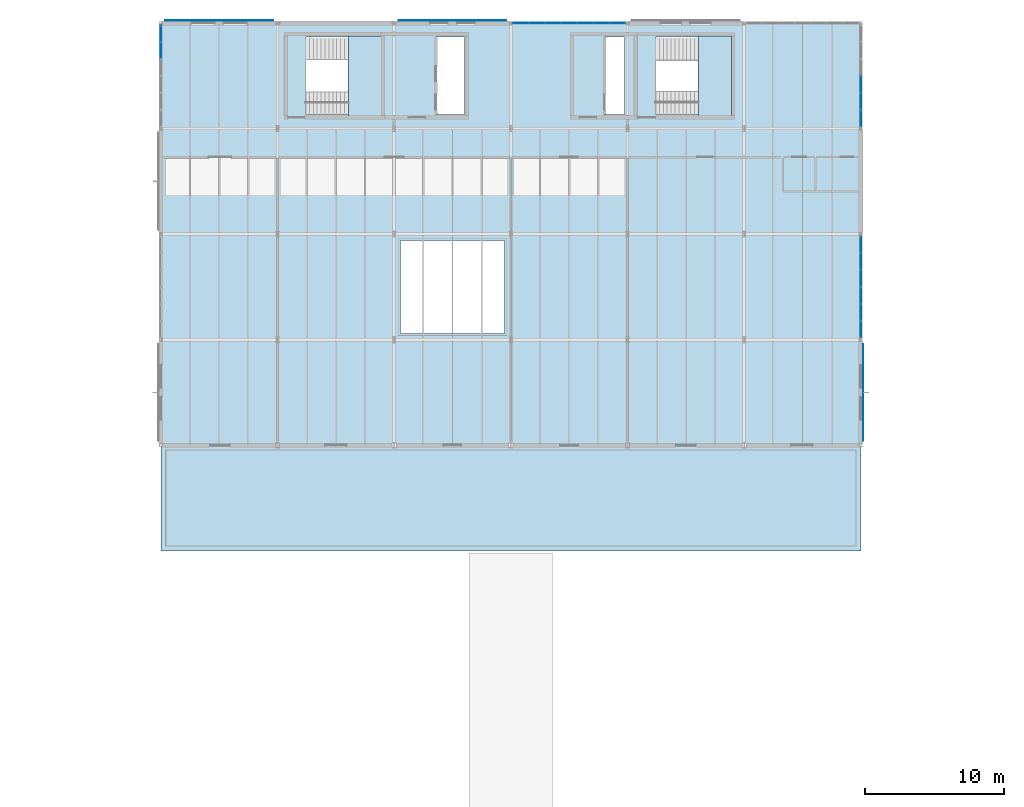
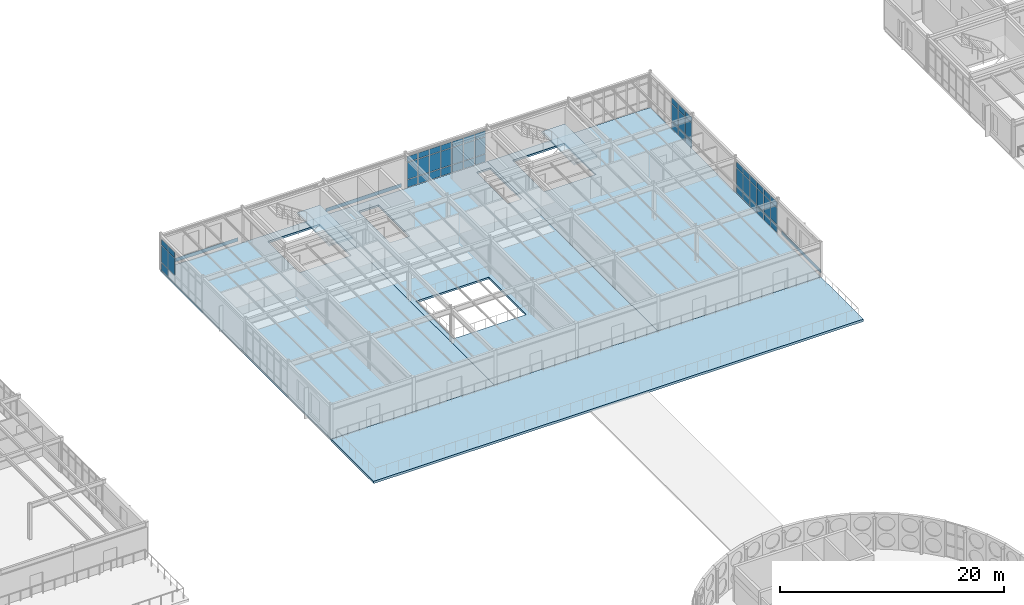
# One storey, part 73 of 114: 56 plates, 6 slabs, 6 elements without a shape of their own.
"""IFC4 building model written with IfcOpenShell, lengths in metres."""

from ifc_helpers import new_model, si_unit, direction, frame, origin, origin_2d, place, context, subcontext, project, spatial, polyline, rectangle, outline, extrude, material, layer, layer_set, type_object, element, aggregate, save


model = new_model("IFC4")

# Units and contexts
model_context = context("Model", 3, precision=1e-05, world=origin(), true_north=direction((0.0, 1.0)))
body_context = subcontext(model_context, "Body", "Model", "MODEL_VIEW")
ifc_project = project(units=[si_unit("LENGTHUNIT", "METRE"), si_unit("AREAUNIT", "SQUARE_METRE"), si_unit("VOLUMEUNIT", "CUBIC_METRE"), si_unit("PLANEANGLEUNIT", "RADIAN"), si_unit("MASSUNIT", "GRAM", prefix="KILO")], contexts=[model_context])

# Site, building, storey
site_placement = place(None, origin())
site = spatial("IfcSite", under=ifc_project, at=site_placement, CompositionType="ELEMENT")
building_placement = place(site_placement, origin())
building = spatial("IfcBuilding", under=site, at=building_placement, Name="Montecoro Central Library", CompositionType="ELEMENT")
storey_placement = place(building_placement, frame((0.0, 0.0, 13.260009765625)))
storey = spatial("IfcBuildingStorey", under=building, at=storey_placement, Name="L03", CompositionType="ELEMENT", Elevation=13.260009765625)

# Curtain wall, plates
ifc_material_1 = material(Name="Bronze-anodised aluminium and low-E glazing", Category="aluminium")
ifc_layer_1 = layer(ifc_material_1, 0.159912109375)
ifc_layer_set_1 = layer_set([ifc_layer_1], Name="Bronze-anodised aluminium and low-E glazing")
curtain_wall_type_1 = type_object("IfcCurtainWallType", Name="CWT-018", PredefinedType="NOTDEFINED", material=ifc_layer_set_1)
curtain_wall_1_placement = place(storey_placement, origin())
curtain_wall_1 = element("IfcCurtainWall", 1, at=curtain_wall_1_placement, inside=storey, type_object=curtain_wall_type_1, Name="V2-L03-CW-E1", PredefinedType="NOTDEFINED")
ifc_material_2 = material(Name="Laminated low-E double glazing", Category="glass")
ifc_layer_2 = layer(ifc_material_2, 0.02587890625)
ifc_layer_set_2 = layer_set([ifc_layer_2], Name="Laminated low-E double glazing")
plate_type_1 = type_object("IfcPlateType", Name="CWP-GLZ-01", PredefinedType="CURTAIN_PANEL", material=ifc_layer_set_2)
plate_1_placement = place(storey_placement, frame((116.800048828125, 96.9423828125, 0.06005859375), z_axis=(0.0, 0.0, 1.0), x_axis=(0.0, 1.0, 0.0)))
plate_1 = element("IfcPlate", 2, at=plate_1_placement, type_object=plate_type_1, Name="CW-018 panel 1.1", PredefinedType="CURTAIN_PANEL", context=body_context, shape_type="SweptSolid", body=[
    extrude(rectangle(XDim=1.138916015625, YDim=0.02587890625, at=origin_2d()), origin(), (0.0, 0.0, 1.0), 0.81005859375),
])
plate_2_placement = place(storey_placement, frame((116.800048828125, 96.9423828125, 0.93017578125), z_axis=(0.0, 0.0, 1.0), x_axis=(0.0, 1.0, 0.0)))
plate_2 = element("IfcPlate", 3, at=plate_2_placement, type_object=plate_type_1, Name="CW-018 panel 1.2", PredefinedType="CURTAIN_PANEL", context=body_context, shape_type="SweptSolid", body=[
    extrude(rectangle(XDim=1.138916015625, YDim=0.02587890625, at=origin_2d()), origin(), (0.0, 0.0, 1.0), 1.820068359375),
])
plate_3_placement = place(storey_placement, frame((116.800048828125, 96.9423828125, 2.81005859375), z_axis=(0.0, 0.0, 1.0), x_axis=(0.0, 1.0, 0.0)))
plate_3 = element("IfcPlate", 4, at=plate_3_placement, type_object=plate_type_1, Name="CW-018 panel 1.3", PredefinedType="CURTAIN_PANEL", context=body_context, shape_type="SweptSolid", body=[
    extrude(rectangle(XDim=1.138916015625, YDim=0.02587890625, at=origin_2d()), origin(), (0.0, 0.0, 1.0), 0.610107421875),
])
plate_4_placement = place(storey_placement, frame((116.800048828125, 98.156494140625, 0.06005859375), z_axis=(0.0, 0.0, 1.0), x_axis=(0.0, 1.0, 0.0)))
plate_4 = element("IfcPlate", 5, at=plate_4_placement, type_object=plate_type_1, Name="CW-018 panel 2.1", PredefinedType="CURTAIN_PANEL", context=body_context, shape_type="SweptSolid", body=[
    extrude(rectangle(XDim=1.1689453125, YDim=0.02587890625, at=origin_2d()), origin(), (0.0, 0.0, 1.0), 0.81005859375),
])
plate_5_placement = place(storey_placement, frame((116.800048828125, 98.156494140625, 0.93017578125), z_axis=(0.0, 0.0, 1.0), x_axis=(0.0, 1.0, 0.0)))
plate_5 = element("IfcPlate", 6, at=plate_5_placement, type_object=plate_type_1, Name="CW-018 panel 2.2", PredefinedType="CURTAIN_PANEL", context=body_context, shape_type="SweptSolid", body=[
    extrude(rectangle(XDim=1.1689453125, YDim=0.02587890625, at=origin_2d()), origin(), (0.0, 0.0, 1.0), 1.820068359375),
])
plate_6_placement = place(storey_placement, frame((116.800048828125, 98.156494140625, 2.81005859375), z_axis=(0.0, 0.0, 1.0), x_axis=(0.0, 1.0, 0.0)))
plate_6 = element("IfcPlate", 7, at=plate_6_placement, type_object=plate_type_1, Name="CW-018 panel 2.3", PredefinedType="CURTAIN_PANEL", context=body_context, shape_type="SweptSolid", body=[
    extrude(rectangle(XDim=1.1689453125, YDim=0.02587890625, at=origin_2d()), origin(), (0.0, 0.0, 1.0), 0.610107421875),
])
plate_7_placement = place(storey_placement, frame((116.800048828125, 99.385498046875, 0.06005859375), z_axis=(0.0, 0.0, 1.0), x_axis=(0.0, 1.0, 0.0)))
plate_7 = element("IfcPlate", 8, at=plate_7_placement, type_object=plate_type_1, Name="CW-018 panel 3.1", PredefinedType="CURTAIN_PANEL", context=body_context, shape_type="SweptSolid", body=[
    extrude(rectangle(XDim=1.1689453125, YDim=0.02587890625, at=origin_2d()), origin(), (0.0, 0.0, 1.0), 0.81005859375),
])
plate_8_placement = place(storey_placement, frame((116.800048828125, 99.385498046875, 0.93017578125), z_axis=(0.0, 0.0, 1.0), x_axis=(0.0, 1.0, 0.0)))
plate_8 = element("IfcPlate", 9, at=plate_8_placement, type_object=plate_type_1, Name="CW-018 panel 3.2", PredefinedType="CURTAIN_PANEL", context=body_context, shape_type="SweptSolid", body=[
    extrude(rectangle(XDim=1.1689453125, YDim=0.02587890625, at=origin_2d()), origin(), (0.0, 0.0, 1.0), 1.820068359375),
])
plate_9_placement = place(storey_placement, frame((116.800048828125, 99.385498046875, 2.81005859375), z_axis=(0.0, 0.0, 1.0), x_axis=(0.0, 1.0, 0.0)))
plate_9 = element("IfcPlate", 10, at=plate_9_placement, type_object=plate_type_1, Name="CW-018 panel 3.3", PredefinedType="CURTAIN_PANEL", context=body_context, shape_type="SweptSolid", body=[
    extrude(rectangle(XDim=1.1689453125, YDim=0.02587890625, at=origin_2d()), origin(), (0.0, 0.0, 1.0), 0.610107421875),
])
plate_10_placement = place(storey_placement, frame((116.800048828125, 100.614501953125, 0.06005859375), z_axis=(0.0, 0.0, 1.0), x_axis=(0.0, 1.0, 0.0)))
plate_10 = element("IfcPlate", 11, at=plate_10_placement, type_object=plate_type_1, Name="CW-018 panel 4.1", PredefinedType="CURTAIN_PANEL", context=body_context, shape_type="SweptSolid", body=[
    extrude(rectangle(XDim=1.1689453125, YDim=0.02587890625, at=origin_2d()), origin(), (0.0, 0.0, 1.0), 0.81005859375),
])
plate_11_placement = place(storey_placement, frame((116.800048828125, 100.614501953125, 0.93017578125), z_axis=(0.0, 0.0, 1.0), x_axis=(0.0, 1.0, 0.0)))
plate_11 = element("IfcPlate", 12, at=plate_11_placement, type_object=plate_type_1, Name="CW-018 panel 4.2", PredefinedType="CURTAIN_PANEL", context=body_context, shape_type="SweptSolid", body=[
    extrude(rectangle(XDim=1.1689453125, YDim=0.02587890625, at=origin_2d()), origin(), (0.0, 0.0, 1.0), 1.820068359375),
])
plate_12_placement = place(storey_placement, frame((116.800048828125, 100.614501953125, 2.81005859375), z_axis=(0.0, 0.0, 1.0), x_axis=(0.0, 1.0, 0.0)))
plate_12 = element("IfcPlate", 13, at=plate_12_placement, type_object=plate_type_1, Name="CW-018 panel 4.3", PredefinedType="CURTAIN_PANEL", context=body_context, shape_type="SweptSolid", body=[
    extrude(rectangle(XDim=1.1689453125, YDim=0.02587890625, at=origin_2d()), origin(), (0.0, 0.0, 1.0), 0.610107421875),
])
plate_13_placement = place(storey_placement, frame((116.800048828125, 101.843505859375, 0.06005859375), z_axis=(0.0, 0.0, 1.0), x_axis=(0.0, 1.0, 0.0)))
plate_13 = element("IfcPlate", 14, at=plate_13_placement, type_object=plate_type_1, Name="CW-018 panel 5.1", PredefinedType="CURTAIN_PANEL", context=body_context, shape_type="SweptSolid", body=[
    extrude(rectangle(XDim=1.1689453125, YDim=0.02587890625, at=origin_2d()), origin(), (0.0, 0.0, 1.0), 0.81005859375),
])
plate_14_placement = place(storey_placement, frame((116.800048828125, 101.843505859375, 0.93017578125), z_axis=(0.0, 0.0, 1.0), x_axis=(0.0, 1.0, 0.0)))
plate_14 = element("IfcPlate", 15, at=plate_14_placement, type_object=plate_type_1, Name="CW-018 panel 5.2", PredefinedType="CURTAIN_PANEL", context=body_context, shape_type="SweptSolid", body=[
    extrude(rectangle(XDim=1.1689453125, YDim=0.02587890625, at=origin_2d()), origin(), (0.0, 0.0, 1.0), 1.820068359375),
])
plate_15_placement = place(storey_placement, frame((116.800048828125, 101.843505859375, 2.81005859375), z_axis=(0.0, 0.0, 1.0), x_axis=(0.0, 1.0, 0.0)))
plate_15 = element("IfcPlate", 16, at=plate_15_placement, type_object=plate_type_1, Name="CW-018 panel 5.3", PredefinedType="CURTAIN_PANEL", context=body_context, shape_type="SweptSolid", body=[
    extrude(rectangle(XDim=1.1689453125, YDim=0.02587890625, at=origin_2d()), origin(), (0.0, 0.0, 1.0), 0.610107421875),
])
plate_16_placement = place(storey_placement, frame((116.800048828125, 103.0576171875, 0.06005859375), z_axis=(0.0, 0.0, 1.0), x_axis=(0.0, 1.0, 0.0)))
plate_16 = element("IfcPlate", 17, at=plate_16_placement, type_object=plate_type_1, Name="CW-018 panel 6.1", PredefinedType="CURTAIN_PANEL", context=body_context, shape_type="SweptSolid", body=[
    extrude(rectangle(XDim=1.138916015625, YDim=0.02587890625, at=origin_2d()), origin(), (0.0, 0.0, 1.0), 0.81005859375),
])
plate_17_placement = place(storey_placement, frame((116.800048828125, 103.0576171875, 0.93017578125), z_axis=(0.0, 0.0, 1.0), x_axis=(0.0, 1.0, 0.0)))
plate_17 = element("IfcPlate", 18, at=plate_17_placement, type_object=plate_type_1, Name="CW-018 panel 6.2", PredefinedType="CURTAIN_PANEL", context=body_context, shape_type="SweptSolid", body=[
    extrude(rectangle(XDim=1.138916015625, YDim=0.02587890625, at=origin_2d()), origin(), (0.0, 0.0, 1.0), 1.820068359375),
])
plate_18_placement = place(storey_placement, frame((116.800048828125, 103.0576171875, 2.81005859375), z_axis=(0.0, 0.0, 1.0), x_axis=(0.0, 1.0, 0.0)))
plate_18 = element("IfcPlate", 19, at=plate_18_placement, type_object=plate_type_1, Name="CW-018 panel 6.3", PredefinedType="CURTAIN_PANEL", context=body_context, shape_type="SweptSolid", body=[
    extrude(rectangle(XDim=1.138916015625, YDim=0.02587890625, at=origin_2d()), origin(), (0.0, 0.0, 1.0), 0.610107421875),
])
aggregate(curtain_wall_1, [plate_1, plate_2, plate_3, plate_4, plate_5, plate_6, plate_7, plate_8, plate_9, plate_10, plate_11, plate_12, plate_13, plate_14, plate_15, plate_16, plate_17, plate_18])

curtain_wall_2_placement = place(storey_placement, origin())
curtain_wall_2 = element("IfcCurtainWall", 20, at=curtain_wall_2_placement, inside=storey, type_object=curtain_wall_type_1, Name="V2-L03-CW-E3", PredefinedType="NOTDEFINED")
ifc_layer_3 = layer(ifc_material_2, 0.033935546875)
ifc_layer_set_3 = layer_set([ifc_layer_3], Name="Laminated low-E double glazing")
plate_type_2 = type_object("IfcPlateType", Name="CWP-GLZ-03", PredefinedType="CURTAIN_PANEL", material=ifc_layer_set_3)
plate_19_placement = place(storey_placement, frame((116.800048828125, 112.142578125, 0.06005859375), z_axis=(0.0, 0.0, 1.0), x_axis=(0.0, 1.0, 0.0)))
plate_19 = element("IfcPlate", 21, at=plate_19_placement, type_object=plate_type_2, Name="CW-018 panel 1.1", PredefinedType="CURTAIN_PANEL", context=body_context, shape_type="SweptSolid", body=[
    extrude(rectangle(XDim=1.138916015625, YDim=0.033935546875, at=origin_2d()), origin(), (0.0, 0.0, 1.0), 0.81005859375),
])
plate_20_placement = place(storey_placement, frame((116.800048828125, 112.142578125, 0.93017578125), z_axis=(0.0, 0.0, 1.0), x_axis=(0.0, 1.0, 0.0)))
plate_20 = element("IfcPlate", 22, at=plate_20_placement, type_object=plate_type_2, Name="CW-018 panel 1.2", PredefinedType="CURTAIN_PANEL", context=body_context, shape_type="SweptSolid", body=[
    extrude(rectangle(XDim=1.138916015625, YDim=0.033935546875, at=origin_2d()), origin(), (0.0, 0.0, 1.0), 1.820068359375),
])
plate_21_placement = place(storey_placement, frame((116.800048828125, 112.142578125, 2.81005859375), z_axis=(0.0, 0.0, 1.0), x_axis=(0.0, 1.0, 0.0)))
plate_21 = element("IfcPlate", 23, at=plate_21_placement, type_object=plate_type_2, Name="CW-018 panel 1.3", PredefinedType="CURTAIN_PANEL", context=body_context, shape_type="SweptSolid", body=[
    extrude(rectangle(XDim=1.138916015625, YDim=0.033935546875, at=origin_2d()), origin(), (0.0, 0.0, 1.0), 0.610107421875),
])
plate_22_placement = place(storey_placement, frame((116.800048828125, 113.3564453125, 0.06005859375), z_axis=(0.0, 0.0, 1.0), x_axis=(0.0, 1.0, 0.0)))
plate_22 = element("IfcPlate", 24, at=plate_22_placement, type_object=plate_type_2, Name="CW-018 panel 2.1", PredefinedType="CURTAIN_PANEL", context=body_context, shape_type="SweptSolid", body=[
    extrude(rectangle(XDim=1.1689453125, YDim=0.033935546875, at=origin_2d()), origin(), (0.0, 0.0, 1.0), 0.81005859375),
])
plate_23_placement = place(storey_placement, frame((116.800048828125, 113.3564453125, 0.93017578125), z_axis=(0.0, 0.0, 1.0), x_axis=(0.0, 1.0, 0.0)))
plate_23 = element("IfcPlate", 25, at=plate_23_placement, type_object=plate_type_2, Name="CW-018 panel 2.2", PredefinedType="CURTAIN_PANEL", context=body_context, shape_type="SweptSolid", body=[
    extrude(rectangle(XDim=1.1689453125, YDim=0.033935546875, at=origin_2d()), origin(), (0.0, 0.0, 1.0), 1.820068359375),
])
plate_24_placement = place(storey_placement, frame((116.800048828125, 113.3564453125, 2.81005859375), z_axis=(0.0, 0.0, 1.0), x_axis=(0.0, 1.0, 0.0)))
plate_24 = element("IfcPlate", 26, at=plate_24_placement, type_object=plate_type_2, Name="CW-018 panel 2.3", PredefinedType="CURTAIN_PANEL", context=body_context, shape_type="SweptSolid", body=[
    extrude(rectangle(XDim=1.1689453125, YDim=0.033935546875, at=origin_2d()), origin(), (0.0, 0.0, 1.0), 0.610107421875),
])
plate_25_placement = place(storey_placement, frame((116.800048828125, 114.58544921875, 0.06005859375), z_axis=(0.0, 0.0, 1.0), x_axis=(0.0, 1.0, 0.0)))
plate_25 = element("IfcPlate", 27, at=plate_25_placement, type_object=plate_type_2, Name="CW-018 panel 3.1", PredefinedType="CURTAIN_PANEL", context=body_context, shape_type="SweptSolid", body=[
    extrude(rectangle(XDim=1.1689453125, YDim=0.033935546875, at=origin_2d()), origin(), (0.0, 0.0, 1.0), 0.81005859375),
])
plate_26_placement = place(storey_placement, frame((116.800048828125, 114.58544921875, 0.93017578125), z_axis=(0.0, 0.0, 1.0), x_axis=(0.0, 1.0, 0.0)))
plate_26 = element("IfcPlate", 28, at=plate_26_placement, type_object=plate_type_2, Name="CW-018 panel 3.2", PredefinedType="CURTAIN_PANEL", context=body_context, shape_type="SweptSolid", body=[
    extrude(rectangle(XDim=1.1689453125, YDim=0.033935546875, at=origin_2d()), origin(), (0.0, 0.0, 1.0), 1.820068359375),
])
plate_27_placement = place(storey_placement, frame((116.800048828125, 114.58544921875, 2.81005859375), z_axis=(0.0, 0.0, 1.0), x_axis=(0.0, 1.0, 0.0)))
plate_27 = element("IfcPlate", 29, at=plate_27_placement, type_object=plate_type_2, Name="CW-018 panel 3.3", PredefinedType="CURTAIN_PANEL", context=body_context, shape_type="SweptSolid", body=[
    extrude(rectangle(XDim=1.1689453125, YDim=0.033935546875, at=origin_2d()), origin(), (0.0, 0.0, 1.0), 0.610107421875),
])
aggregate(curtain_wall_2, [plate_19, plate_20, plate_21, plate_22, plate_23, plate_24, plate_25, plate_26, plate_27])

ifc_layer_4 = layer(ifc_material_1, 0.159912109375)
ifc_layer_set_4 = layer_set([ifc_layer_4], Name="Bronze-anodised aluminium and low-E glazing")
curtain_wall_type_2 = type_object("IfcCurtainWallType", Name="CWT-019", PredefinedType="NOTDEFINED", material=ifc_layer_set_4)
curtain_wall_3_placement = place(storey_placement, origin())
curtain_wall_3 = element("IfcCurtainWall", 30, at=curtain_wall_3_placement, inside=storey, type_object=curtain_wall_type_2, Name="V2-L03-CW-N3", PredefinedType="NOTDEFINED")
plate_28_placement = place(storey_placement, frame((99.2880859375, 119.0, 0.06005859375), z_axis=(0.0, 0.0, 1.0), x_axis=(-1.0, 0.0, 0.0)))
plate_28 = element("IfcPlate", 31, at=plate_28_placement, type_object=plate_type_2, Name="CW-019 panel 1.1", PredefinedType="CURTAIN_PANEL", context=body_context, shape_type="SweptSolid", body=[
    extrude(rectangle(XDim=1.07763671875, YDim=0.033935546875, at=origin_2d()), origin(), (0.0, 0.0, 1.0), 0.81005859375),
])
plate_29_placement = place(storey_placement, frame((99.2880859375, 119.0, 0.93017578125), z_axis=(0.0, 0.0, 1.0), x_axis=(-1.0, 0.0, 0.0)))
plate_29 = element("IfcPlate", 32, at=plate_29_placement, type_object=plate_type_2, Name="CW-019 panel 1.2", PredefinedType="CURTAIN_PANEL", context=body_context, shape_type="SweptSolid", body=[
    extrude(rectangle(XDim=1.07763671875, YDim=0.033935546875, at=origin_2d()), origin(), (0.0, 0.0, 1.0), 1.820068359375),
])
plate_30_placement = place(storey_placement, frame((99.2880859375, 119.0, 2.81005859375), z_axis=(0.0, 0.0, 1.0), x_axis=(-1.0, 0.0, 0.0)))
plate_30 = element("IfcPlate", 33, at=plate_30_placement, type_object=plate_type_2, Name="CW-019 panel 1.3", PredefinedType="CURTAIN_PANEL", context=body_context, shape_type="SweptSolid", body=[
    extrude(rectangle(XDim=1.07763671875, YDim=0.033935546875, at=origin_2d()), origin(), (0.0, 0.0, 1.0), 0.610107421875),
])
plate_31_placement = place(storey_placement, frame((98.135498046875, 119.0, 0.06005859375), z_axis=(0.0, 0.0, 1.0), x_axis=(-1.0, 0.0, 0.0)))
plate_31 = element("IfcPlate", 34, at=plate_31_placement, type_object=plate_type_2, Name="CW-019 panel 2.1", PredefinedType="CURTAIN_PANEL", context=body_context, shape_type="SweptSolid", body=[
    extrude(rectangle(XDim=1.107666015625, YDim=0.033935546875, at=origin_2d()), origin(), (0.0, 0.0, 1.0), 0.81005859375),
])
plate_32_placement = place(storey_placement, frame((98.135498046875, 119.0, 0.93017578125), z_axis=(0.0, 0.0, 1.0), x_axis=(-1.0, 0.0, 0.0)))
plate_32 = element("IfcPlate", 35, at=plate_32_placement, type_object=plate_type_2, Name="CW-019 panel 2.2", PredefinedType="CURTAIN_PANEL", context=body_context, shape_type="SweptSolid", body=[
    extrude(rectangle(XDim=1.107666015625, YDim=0.033935546875, at=origin_2d()), origin(), (0.0, 0.0, 1.0), 1.820068359375),
])
plate_33_placement = place(storey_placement, frame((98.135498046875, 119.0, 2.81005859375), z_axis=(0.0, 0.0, 1.0), x_axis=(-1.0, 0.0, 0.0)))
plate_33 = element("IfcPlate", 36, at=plate_33_placement, type_object=plate_type_2, Name="CW-019 panel 2.3", PredefinedType="CURTAIN_PANEL", context=body_context, shape_type="SweptSolid", body=[
    extrude(rectangle(XDim=1.107666015625, YDim=0.033935546875, at=origin_2d()), origin(), (0.0, 0.0, 1.0), 0.610107421875),
])
plate_34_placement = place(storey_placement, frame((96.9677734375, 119.0, 0.06005859375), z_axis=(0.0, 0.0, 1.0), x_axis=(-1.0, 0.0, 0.0)))
plate_34 = element("IfcPlate", 37, at=plate_34_placement, type_object=plate_type_2, Name="CW-019 panel 3.1", PredefinedType="CURTAIN_PANEL", context=body_context, shape_type="SweptSolid", body=[
    extrude(rectangle(XDim=1.107666015625, YDim=0.033935546875, at=origin_2d()), origin(), (0.0, 0.0, 1.0), 0.81005859375),
])
plate_35_placement = place(storey_placement, frame((96.9677734375, 119.0, 0.93017578125), z_axis=(0.0, 0.0, 1.0), x_axis=(-1.0, 0.0, 0.0)))
plate_35 = element("IfcPlate", 38, at=plate_35_placement, type_object=plate_type_2, Name="CW-019 panel 3.2", PredefinedType="CURTAIN_PANEL", context=body_context, shape_type="SweptSolid", body=[
    extrude(rectangle(XDim=1.107666015625, YDim=0.033935546875, at=origin_2d()), origin(), (0.0, 0.0, 1.0), 1.820068359375),
])
plate_36_placement = place(storey_placement, frame((96.9677734375, 119.0, 2.81005859375), z_axis=(0.0, 0.0, 1.0), x_axis=(-1.0, 0.0, 0.0)))
plate_36 = element("IfcPlate", 39, at=plate_36_placement, type_object=plate_type_2, Name="CW-019 panel 3.3", PredefinedType="CURTAIN_PANEL", context=body_context, shape_type="SweptSolid", body=[
    extrude(rectangle(XDim=1.107666015625, YDim=0.033935546875, at=origin_2d()), origin(), (0.0, 0.0, 1.0), 0.610107421875),
])
plate_37_placement = place(storey_placement, frame((95.800048828125, 119.0, 0.06005859375), z_axis=(0.0, 0.0, 1.0), x_axis=(-1.0, 0.0, 0.0)))
plate_37 = element("IfcPlate", 40, at=plate_37_placement, type_object=plate_type_2, Name="CW-019 panel 4.1", PredefinedType="CURTAIN_PANEL", context=body_context, shape_type="SweptSolid", body=[
    extrude(rectangle(XDim=1.107666015625, YDim=0.033935546875, at=origin_2d()), origin(), (0.0, 0.0, 1.0), 0.81005859375),
])
plate_38_placement = place(storey_placement, frame((95.800048828125, 119.0, 0.93017578125), z_axis=(0.0, 0.0, 1.0), x_axis=(-1.0, 0.0, 0.0)))
plate_38 = element("IfcPlate", 41, at=plate_38_placement, type_object=plate_type_2, Name="CW-019 panel 4.2", PredefinedType="CURTAIN_PANEL", context=body_context, shape_type="SweptSolid", body=[
    extrude(rectangle(XDim=1.107666015625, YDim=0.033935546875, at=origin_2d()), origin(), (0.0, 0.0, 1.0), 1.820068359375),
])
plate_39_placement = place(storey_placement, frame((95.800048828125, 119.0, 2.81005859375), z_axis=(0.0, 0.0, 1.0), x_axis=(-1.0, 0.0, 0.0)))
plate_39 = element("IfcPlate", 42, at=plate_39_placement, type_object=plate_type_2, Name="CW-019 panel 4.3", PredefinedType="CURTAIN_PANEL", context=body_context, shape_type="SweptSolid", body=[
    extrude(rectangle(XDim=1.107666015625, YDim=0.033935546875, at=origin_2d()), origin(), (0.0, 0.0, 1.0), 0.610107421875),
])
plate_40_placement = place(storey_placement, frame((94.63232421875, 119.0, 0.06005859375), z_axis=(0.0, 0.0, 1.0), x_axis=(-1.0, 0.0, 0.0)))
plate_40 = element("IfcPlate", 43, at=plate_40_placement, type_object=plate_type_2, Name="CW-019 panel 5.1", PredefinedType="CURTAIN_PANEL", context=body_context, shape_type="SweptSolid", body=[
    extrude(rectangle(XDim=1.107666015625, YDim=0.033935546875, at=origin_2d()), origin(), (0.0, 0.0, 1.0), 0.81005859375),
])
plate_41_placement = place(storey_placement, frame((94.63232421875, 119.0, 0.93017578125), z_axis=(0.0, 0.0, 1.0), x_axis=(-1.0, 0.0, 0.0)))
plate_41 = element("IfcPlate", 44, at=plate_41_placement, type_object=plate_type_2, Name="CW-019 panel 5.2", PredefinedType="CURTAIN_PANEL", context=body_context, shape_type="SweptSolid", body=[
    extrude(rectangle(XDim=1.107666015625, YDim=0.033935546875, at=origin_2d()), origin(), (0.0, 0.0, 1.0), 1.820068359375),
])
plate_42_placement = place(storey_placement, frame((94.63232421875, 119.0, 2.81005859375), z_axis=(0.0, 0.0, 1.0), x_axis=(-1.0, 0.0, 0.0)))
plate_42 = element("IfcPlate", 45, at=plate_42_placement, type_object=plate_type_2, Name="CW-019 panel 5.3", PredefinedType="CURTAIN_PANEL", context=body_context, shape_type="SweptSolid", body=[
    extrude(rectangle(XDim=1.107666015625, YDim=0.033935546875, at=origin_2d()), origin(), (0.0, 0.0, 1.0), 0.610107421875),
])
plate_43_placement = place(storey_placement, frame((93.464599609375, 119.0, 0.06005859375), z_axis=(0.0, 0.0, 1.0), x_axis=(-1.0, 0.0, 0.0)))
plate_43 = element("IfcPlate", 46, at=plate_43_placement, type_object=plate_type_2, Name="CW-019 panel 6.1", PredefinedType="CURTAIN_PANEL", context=body_context, shape_type="SweptSolid", body=[
    extrude(rectangle(XDim=1.107666015625, YDim=0.033935546875, at=origin_2d()), origin(), (0.0, 0.0, 1.0), 0.81005859375),
])
plate_44_placement = place(storey_placement, frame((93.464599609375, 119.0, 0.93017578125), z_axis=(0.0, 0.0, 1.0), x_axis=(-1.0, 0.0, 0.0)))
plate_44 = element("IfcPlate", 47, at=plate_44_placement, type_object=plate_type_2, Name="CW-019 panel 6.2", PredefinedType="CURTAIN_PANEL", context=body_context, shape_type="SweptSolid", body=[
    extrude(rectangle(XDim=1.107666015625, YDim=0.033935546875, at=origin_2d()), origin(), (0.0, 0.0, 1.0), 1.820068359375),
])
plate_45_placement = place(storey_placement, frame((93.464599609375, 119.0, 2.81005859375), z_axis=(0.0, 0.0, 1.0), x_axis=(-1.0, 0.0, 0.0)))
plate_45 = element("IfcPlate", 48, at=plate_45_placement, type_object=plate_type_2, Name="CW-019 panel 6.3", PredefinedType="CURTAIN_PANEL", context=body_context, shape_type="SweptSolid", body=[
    extrude(rectangle(XDim=1.107666015625, YDim=0.033935546875, at=origin_2d()), origin(), (0.0, 0.0, 1.0), 0.610107421875),
])
plate_46_placement = place(storey_placement, frame((92.311767578125, 119.0, 0.06005859375), z_axis=(0.0, 0.0, 1.0), x_axis=(-1.0, 0.0, 0.0)))
plate_46 = element("IfcPlate", 49, at=plate_46_placement, type_object=plate_type_2, Name="CW-019 panel 7.1", PredefinedType="CURTAIN_PANEL", context=body_context, shape_type="SweptSolid", body=[
    extrude(rectangle(XDim=1.07763671875, YDim=0.033935546875, at=origin_2d()), origin(), (0.0, 0.0, 1.0), 0.81005859375),
])
plate_47_placement = place(storey_placement, frame((92.311767578125, 119.0, 0.93017578125), z_axis=(0.0, 0.0, 1.0), x_axis=(-1.0, 0.0, 0.0)))
plate_47 = element("IfcPlate", 50, at=plate_47_placement, type_object=plate_type_2, Name="CW-019 panel 7.2", PredefinedType="CURTAIN_PANEL", context=body_context, shape_type="SweptSolid", body=[
    extrude(rectangle(XDim=1.07763671875, YDim=0.033935546875, at=origin_2d()), origin(), (0.0, 0.0, 1.0), 1.820068359375),
])
plate_48_placement = place(storey_placement, frame((92.311767578125, 119.0, 2.81005859375), z_axis=(0.0, 0.0, 1.0), x_axis=(-1.0, 0.0, 0.0)))
plate_48 = element("IfcPlate", 51, at=plate_48_placement, type_object=plate_type_2, Name="CW-019 panel 7.3", PredefinedType="CURTAIN_PANEL", context=body_context, shape_type="SweptSolid", body=[
    extrude(rectangle(XDim=1.07763671875, YDim=0.033935546875, at=origin_2d()), origin(), (0.0, 0.0, 1.0), 0.610107421875),
])
aggregate(curtain_wall_3, [plate_28, plate_29, plate_30, plate_31, plate_32, plate_33, plate_34, plate_35, plate_36, plate_37, plate_38, plate_39, plate_40, plate_41, plate_42, plate_43, plate_44, plate_45, plate_46, plate_47, plate_48])

ifc_layer_5 = layer(ifc_material_1, 0.159912109375)
ifc_layer_set_5 = layer_set([ifc_layer_5], Name="Bronze-anodised aluminium and low-E glazing")
curtain_wall_type_3 = type_object("IfcCurtainWallType", Name="CWT-020", PredefinedType="NOTDEFINED", material=ifc_layer_set_5)
curtain_wall_4_placement = place(storey_placement, origin())
curtain_wall_4 = element("IfcCurtainWall", 52, at=curtain_wall_4_placement, inside=storey, type_object=curtain_wall_type_3, Name="V2-L03-CW-W3", PredefinedType="NOTDEFINED")
plate_49_placement = place(storey_placement, frame((66.39990234375, 118.257568359375, 0.06005859375), z_axis=(0.0, 0.0, 1.0), x_axis=(0.0, -1.0, 0.0)))
plate_49 = element("IfcPlate", 53, at=plate_49_placement, type_object=plate_type_2, Name="CW-020 panel 1.1", PredefinedType="CURTAIN_PANEL", context=body_context, shape_type="SweptSolid", body=[
    extrude(rectangle(XDim=1.138916015625, YDim=0.033935546875, at=origin_2d()), origin(), (0.0, 0.0, 1.0), 0.81005859375),
])
plate_50_placement = place(storey_placement, frame((66.39990234375, 118.257568359375, 0.93017578125), z_axis=(0.0, 0.0, 1.0), x_axis=(0.0, -1.0, 0.0)))
plate_50 = element("IfcPlate", 54, at=plate_50_placement, type_object=plate_type_2, Name="CW-020 panel 1.2", PredefinedType="CURTAIN_PANEL", context=body_context, shape_type="SweptSolid", body=[
    extrude(rectangle(XDim=1.138916015625, YDim=0.033935546875, at=origin_2d()), origin(), (0.0, 0.0, 1.0), 1.820068359375),
])
plate_51_placement = place(storey_placement, frame((66.39990234375, 118.257568359375, 2.81005859375), z_axis=(0.0, 0.0, 1.0), x_axis=(0.0, -1.0, 0.0)))
plate_51 = element("IfcPlate", 55, at=plate_51_placement, type_object=plate_type_2, Name="CW-020 panel 1.3", PredefinedType="CURTAIN_PANEL", context=body_context, shape_type="SweptSolid", body=[
    extrude(rectangle(XDim=1.138916015625, YDim=0.033935546875, at=origin_2d()), origin(), (0.0, 0.0, 1.0), 0.610107421875),
])
plate_52_placement = place(storey_placement, frame((66.39990234375, 117.04345703125, 0.93017578125), z_axis=(0.0, 0.0, 1.0), x_axis=(0.0, -1.0, 0.0)))
plate_52 = element("IfcPlate", 56, at=plate_52_placement, type_object=plate_type_2, Name="CW-020 panel 2.2", PredefinedType="CURTAIN_PANEL", context=body_context, shape_type="SweptSolid", body=[
    extrude(rectangle(XDim=1.1689453125, YDim=0.033935546875, at=origin_2d()), origin(), (0.0, 0.0, 1.0), 1.820068359375),
])
plate_53_placement = place(storey_placement, frame((66.39990234375, 117.04345703125, 2.81005859375), z_axis=(0.0, 0.0, 1.0), x_axis=(0.0, -1.0, 0.0)))
plate_53 = element("IfcPlate", 57, at=plate_53_placement, type_object=plate_type_2, Name="CW-020 panel 2.3", PredefinedType="CURTAIN_PANEL", context=body_context, shape_type="SweptSolid", body=[
    extrude(rectangle(XDim=1.1689453125, YDim=0.033935546875, at=origin_2d()), origin(), (0.0, 0.0, 1.0), 0.610107421875),
])
aggregate(curtain_wall_4, [plate_49, plate_50, plate_51, plate_52, plate_53])

# Plates
ifc_material_3 = material(Name="Architectural bronze spandrel plate", Category="aluminium")
ifc_layer_6 = layer(ifc_material_3, 0.02197265625)
ifc_layer_set_6 = layer_set([ifc_layer_6], Name="Architectural bronze spandrel plate")
plate_type_3 = type_object("IfcPlateType", Name="PLT-SPN-01", PredefinedType="SHEET", material=ifc_layer_set_6)
plate_54_placement = place(storey_placement, frame((116.973388671875, 92.39990234375, 0.16015625), z_axis=(0.0, 0.0, 1.0), x_axis=(0.0, 1.0, 0.0)))
element("IfcPlate", 58, at=plate_54_placement, inside=storey, type_object=plate_type_3, Name="V2-L03-SPN-E0", PredefinedType="SHEET", context=body_context, shape_type="SweptSolid", body=[
    extrude(rectangle(XDim=6.97412109375, YDim=0.02197265625, at=origin_2d()), origin(), (0.0, 0.0, 1.0), 0.39990234375),
])
plate_55_placement = place(storey_placement, frame((70.60009765625, 119.173583984375, 0.16015625), z_axis=(0.0, 0.0, 1.0), x_axis=(-1.0, 0.0, 0.0)))
element("IfcPlate", 59, at=plate_55_placement, inside=storey, type_object=plate_type_3, Name="V2-L03-SPN-N0", PredefinedType="SHEET", context=body_context, shape_type="SweptSolid", body=[
    extrude(rectangle(XDim=7.77392578125, YDim=0.02197265625, at=origin_2d()), origin(), (0.0, 0.0, 1.0), 0.39990234375),
])
ifc_layer_7 = layer(ifc_material_3, 0.035888671875)
ifc_layer_set_7 = layer_set([ifc_layer_7], Name="Architectural bronze spandrel plate")
plate_type_4 = type_object("IfcPlateType", Name="PLT-SPN-03", PredefinedType="SHEET", material=ifc_layer_set_7)
plate_56_placement = place(storey_placement, frame((87.39990234375, 119.180419921875, 0.16015625), z_axis=(0.0, 0.0, 1.0), x_axis=(-1.0, 0.0, 0.0)))
element("IfcPlate", 60, at=plate_56_placement, inside=storey, type_object=plate_type_4, Name="V2-L03-SPN-N2", PredefinedType="SHEET", context=body_context, shape_type="SweptSolid", body=[
    extrude(rectangle(XDim=7.77392578125, YDim=0.035888671875, at=origin_2d()), origin(), (0.0, 0.0, 1.0), 0.39990234375),
])

# Slabs
ifc_material_4 = material(Name="Concrete C32/40", Category="concrete")
ifc_layer_8 = layer(ifc_material_4, 0.205078125)
ifc_layer_set_8 = layer_set([ifc_layer_8], Name="Concrete C32/40")
slab_type_1 = type_object("IfcSlabType", Name="SL-FLR-205", PredefinedType="FLOOR", material=ifc_layer_set_8)
slab_1_placement = place(storey_placement, frame((0.0, 0.0, -0.205078125)))
element("IfcSlab", 61, at=slab_1_placement, inside=storey, type_object=slab_type_1, Name="V2-L03-SL1", PredefinedType="FLOOR", context=body_context, shape_type="SweptSolid", body=[
    extrude(outline(polyline([(66.39990234375, 88.60009765625), (83.199951171875, 88.60009765625), (83.199951171875, 119.0), (66.39990234375, 119.0), (66.39990234375, 88.60009765625)]), holes=[polyline([(76.860107421875, 118.0), (82.199951171875, 118.0), (82.199951171875, 112.39990234375), (76.860107421875, 112.39990234375), (76.860107421875, 118.0)])]), origin(), (0.0, 0.0, 1.0), 0.205078125),
])
slab_2_placement = place(storey_placement, frame((0.0, 0.0, -0.205078125)))
element("IfcSlab", 62, at=slab_2_placement, inside=storey, type_object=slab_type_1, Name="V2-L03-SL2", PredefinedType="FLOOR", context=body_context, shape_type="SweptSolid", body=[
    extrude(outline(polyline([(83.199951171875, 88.60009765625), (100.0, 88.60009765625), (100.0, 119.0), (83.199951171875, 119.0), (83.199951171875, 88.60009765625)]), holes=[polyline([(86.199951171875, 118.0), (88.25, 118.0), (88.25, 112.39990234375), (86.199951171875, 112.39990234375), (86.199951171875, 118.0)]), polyline([(98.35009765625, 118.0), (99.780029296875, 118.0), (99.780029296875, 112.39990234375), (98.35009765625, 112.39990234375), (98.35009765625, 118.0)]), polyline([(83.64990234375, 103.35009765625), (91.14990234375, 103.35009765625), (91.14990234375, 96.64990234375), (83.64990234375, 96.64990234375), (83.64990234375, 103.35009765625)])]), origin(), (0.0, 0.0, 1.0), 0.205078125),
])
slab_3_placement = place(storey_placement, frame((0.0, 0.0, -0.205078125)))
element("IfcSlab", 63, at=slab_3_placement, inside=storey, type_object=slab_type_1, Name="V2-L03-SL3", PredefinedType="FLOOR", context=body_context, shape_type="SweptSolid", body=[
    extrude(outline(polyline([(100.0, 88.60009765625), (116.800048828125, 88.60009765625), (116.800048828125, 119.0), (100.0, 119.0), (100.0, 88.60009765625)]), holes=[polyline([(102.06005859375, 118.0), (107.39990234375, 118.0), (107.39990234375, 112.39990234375), (102.06005859375, 112.39990234375), (102.06005859375, 118.0)])]), origin(), (0.0, 0.0, 1.0), 0.205078125),
])

# Stair, slab
ifc_material_5 = material(Name="Concrete C35/45", Category="concrete")
stair_type_1 = type_object("IfcStairType", Name="STR-RET-155", PredefinedType="HALF_TURN_STAIR", material=ifc_material_5)
stair_1_placement = place(storey_placement, origin())
stair_1 = element("IfcStair", 64, at=stair_1_placement, inside=storey, type_object=stair_type_1, Name="C2-L03-STR", PredefinedType="HALF_TURN_STAIR")
ifc_layer_9 = layer(ifc_material_5, 0.199951171875)
ifc_layer_set_9 = layer_set([ifc_layer_9], Name="Concrete C35/45")
slab_type_2 = type_object("IfcSlabType", Name="SL-LND-200", PredefinedType="LANDING", material=ifc_layer_set_9)
slab_4_placement = place(storey_placement, frame((0.0, 0.0, 1.840087890625)))
slab_4 = element("IfcSlab", 65, at=slab_4_placement, type_object=slab_type_2, Name="ST-02 landing 1", PredefinedType="LANDING", context=body_context, shape_type="SweptSolid", body=[
    extrude(outline(polyline([(79.89990234375, 112.320068359375), (82.280029296875, 112.320068359375), (82.280029296875, 118.080078125), (79.89990234375, 118.080078125), (79.89990234375, 112.320068359375)])), origin(), (0.0, 0.0, 1.0), 0.199951171875),
])
aggregate(stair_1, [slab_4])

stair_type_2 = type_object("IfcStairType", Name="STR-RET-160", PredefinedType="HALF_TURN_STAIR", material=ifc_material_5)
stair_2_placement = place(storey_placement, origin())
stair_2 = element("IfcStair", 66, at=stair_2_placement, inside=storey, type_object=stair_type_2, Name="C3-L03-STR", PredefinedType="HALF_TURN_STAIR")
slab_5_placement = place(storey_placement, frame((0.0, 0.0, 1.840087890625)))
slab_5 = element("IfcSlab", 67, at=slab_5_placement, type_object=slab_type_2, Name="ST-03 landing 1", PredefinedType="LANDING", context=body_context, shape_type="SweptSolid", body=[
    extrude(outline(polyline([(105.10009765625, 112.320068359375), (107.47998046875, 112.320068359375), (107.47998046875, 118.080078125), (105.10009765625, 118.080078125), (105.10009765625, 112.320068359375)])), origin(), (0.0, 0.0, 1.0), 0.199951171875),
])
aggregate(stair_2, [slab_5])

# Slab
ifc_material_6 = material(Name="Planted garden concrete C32/40", Category="concrete")
ifc_layer_10 = layer(ifc_material_6, 0.2548828125)
ifc_layer_set_10 = layer_set([ifc_layer_10], Name="Planted garden concrete C32/40")
slab_type_3 = type_object("IfcSlabType", Name="SL-TER-255", PredefinedType="FLOOR", material=ifc_layer_set_10)
slab_6_placement = place(storey_placement, frame((0.0, 0.0, -0.255126953125)))
element("IfcSlab", 68, at=slab_6_placement, inside=storey, type_object=slab_type_3, Name="South Court Lower Reading Terrace", PredefinedType="FLOOR", context=body_context, shape_type="SweptSolid", body=[
    extrude(outline(polyline([(66.39990234375, 81.0), (116.800048828125, 81.0), (116.800048828125, 88.60009765625), (66.39990234375, 88.60009765625), (66.39990234375, 81.0)])), origin(), (0.0, 0.0, 1.0), 0.255126953125),
])

save(model, "model.ifc")
